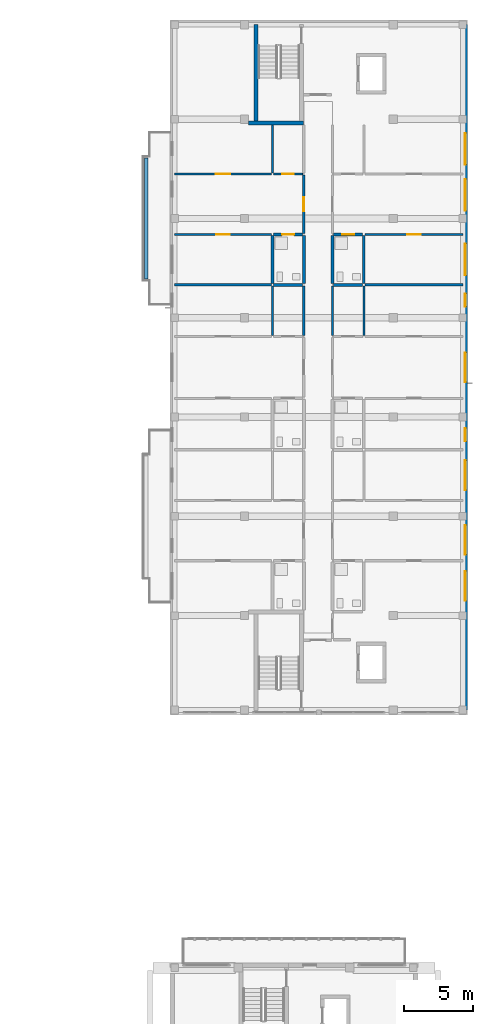
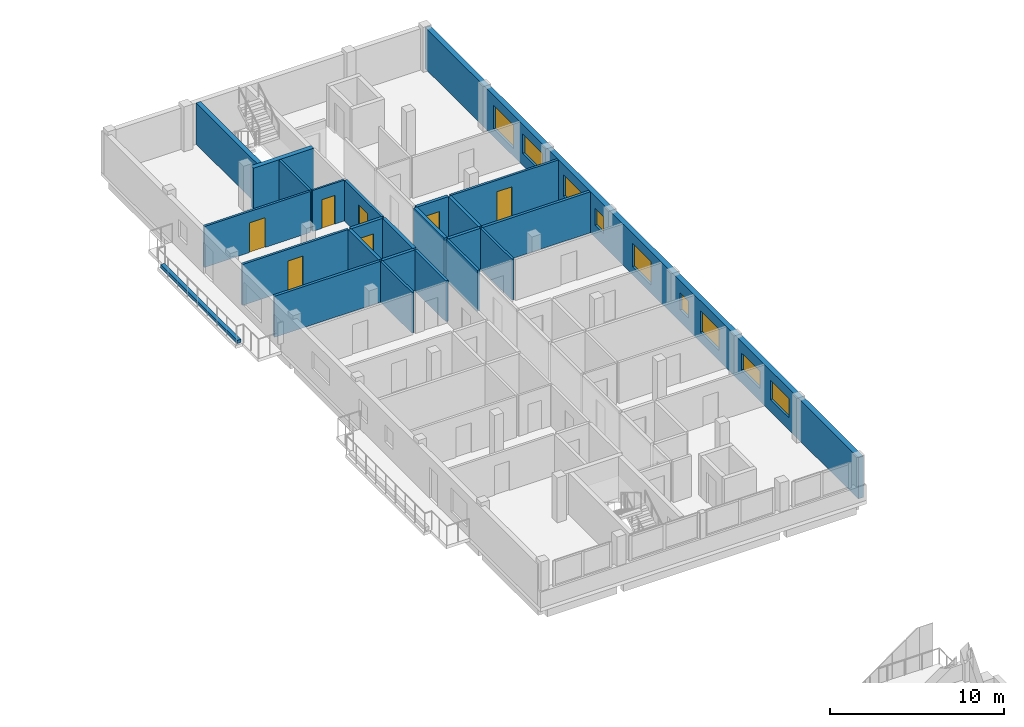
# One storey, part 25 of 41: 24 walls, 9 windows, 7 doors, 16 openings.
"""IFC4 building model written with IfcOpenShell, lengths in metres."""

from ifc_helpers import new_model, si_unit, derived_unit, direction, frame, frame_2d, origin, place, context, subcontext, project, spatial, rectangle, extrude, material, layer, layer_set, type_object, element, fill, save


model = new_model("IFC4")

# Units and contexts
model_context = context("Model", 3, precision=1e-05, world=origin(), true_north=direction((0.0, 1.0)))
body_context = subcontext(model_context, "Body", "Model", "MODEL_VIEW")
ifc_project = project(units=[si_unit("LENGTHUNIT", "METRE"), si_unit("AREAUNIT", "SQUARE_METRE"), si_unit("VOLUMEUNIT", "CUBIC_METRE"), si_unit("PLANEANGLEUNIT", "RADIAN"), si_unit("MASSUNIT", "GRAM", prefix="KILO"), derived_unit("THERMALTRANSMITTANCEUNIT", [(si_unit("MASSUNIT", "GRAM", prefix="KILO"), 1), (si_unit("TIMEUNIT", "SECOND"), -3), (si_unit("THERMODYNAMICTEMPERATUREUNIT", "KELVIN"), -1)])], contexts=[model_context])

# Site, building, storey
site_placement = place(None, origin())
site = spatial("IfcSite", under=ifc_project, at=site_placement, CompositionType="ELEMENT")
building_placement = place(site_placement, origin())
building = spatial("IfcBuilding", under=site, at=building_placement, Name="Ochrekiln Boulevard Commons", CompositionType="ELEMENT")
storey_placement = place(building_placement, frame((0.0, 0.0, 21.52490234375)))
storey = spatial("IfcBuildingStorey", under=building, at=storey_placement, Name="L06", CompositionType="ELEMENT", Elevation=21.52490234375)

# Wall, openings, windows
ifc_material_1 = material(Name="Iron-spot brown clinker brick masonry ASTM C216 Grade SW", Category="masonry")
ifc_layer_1 = layer(ifc_material_1, 0.340087890625)
ifc_layer_set_1 = layer_set([ifc_layer_1], Name="Iron-spot brown clinker brick masonry ASTM C216 Grade SW")
wall_type_1 = type_object("IfcWallType", Name="WL-EXT-IRON-340", PredefinedType="SOLIDWALL", material=ifc_layer_set_1)
wall_1_placement = place(storey_placement, frame((172.6298828125, 68.739990234375, 0.0), z_axis=(0.0, 0.0, 1.0), x_axis=(0.0, 1.0, 0.0)))
wall_1 = element("IfcWall", 1, at=wall_1_placement, inside=storey, type_object=wall_type_1, Name="Block B L06 E Exterior Wall", PredefinedType="SOLIDWALL", context=body_context, shape_type="SweptSolid", body=[
    extrude(rectangle(XDim=49.719970703125, YDim=0.340087890625, at=frame_2d((24.85986328125, 0.0))), origin(), (0.0, 0.0, 1.0), 2.89013671875),
])
opening_1_placement = place(wall_1_placement, frame((11.27587890625, 0.0, 0.89990234375)))
opening_1 = element("IfcOpeningElement", 2, at=opening_1_placement, cuts=wall_1, Name="Opening W-51", PredefinedType="OPENING", context=body_context, shape_type="SweptSolid", body=[
    extrude(rectangle(XDim=2.14990234375, YDim=1.199951171875, at=frame_2d((1.074951171875, 0.60009765625))), frame((0.0, 0.179931640625, 0.0), z_axis=(0.0, -1.0, 0.0), x_axis=(1.0, 0.0, 0.0)), (0.0, 0.0, 1.0), 0.360107421875),
])
opening_2_placement = place(wall_1_placement, frame((7.930908203125, 0.0, 0.85498046875)))
opening_2 = element("IfcOpeningElement", 3, at=opening_2_placement, cuts=wall_1, Name="Opening W-52", PredefinedType="OPENING", context=body_context, shape_type="SweptSolid", body=[
    extrude(rectangle(XDim=2.14990234375, YDim=1.35009765625, at=frame_2d((1.074951171875, 0.675048828125))), frame((0.0, 0.179931640625, 0.0), z_axis=(0.0, -1.0, 0.0), x_axis=(1.0, 0.0, 0.0)), (0.0, 0.0, 1.0), 0.360107421875),
])
opening_3_placement = place(wall_1_placement, frame((15.965087890625, 0.0, 0.705078125)))
opening_3 = element("IfcOpeningElement", 4, at=opening_3_placement, cuts=wall_1, Name="Opening W-53", PredefinedType="OPENING", context=body_context, shape_type="SweptSolid", body=[
    extrude(rectangle(XDim=2.14990234375, YDim=1.5, at=frame_2d((1.074951171875, 0.75))), frame((0.0, 0.179931640625, 0.0), z_axis=(0.0, -1.0, 0.0), x_axis=(1.0, 0.0, 0.0)), (0.0, 0.0, 1.0), 0.360107421875),
])
opening_4_placement = place(wall_1_placement, frame((23.784912109375, 0.0, 0.554931640625)))
opening_4 = element("IfcOpeningElement", 5, at=opening_4_placement, cuts=wall_1, Name="Opening W-54", PredefinedType="OPENING", context=body_context, shape_type="SweptSolid", body=[
    extrude(rectangle(XDim=2.14990234375, YDim=1.64990234375, at=frame_2d((1.074951171875, 0.824951171875))), frame((0.0, 0.179931640625, 0.0), z_axis=(0.0, -1.0, 0.0), x_axis=(1.0, 0.0, 0.0)), (0.0, 0.0, 1.0), 0.360107421875),
])
opening_5_placement = place(wall_1_placement, frame((19.5029296875, 0.0, 0.85009765625)))
opening_5 = element("IfcOpeningElement", 6, at=opening_5_placement, cuts=wall_1, Name="Opening W-01", PredefinedType="OPENING", context=body_context, shape_type="SweptSolid", body=[
    extrude(rectangle(XDim=0.949951171875, YDim=1.199951171875, at=frame_2d((0.47509765625, 0.60009765625))), frame((0.0, 0.179931640625, 0.0), z_axis=(0.0, -1.0, 0.0), x_axis=(1.0, 0.0, 0.0)), (0.0, 0.0, 1.0), 0.360107421875),
])
opening_6_placement = place(wall_1_placement, frame((29.26708984375, 0.0, 0.85009765625)))
opening_6 = element("IfcOpeningElement", 7, at=opening_6_placement, cuts=wall_1, Name="Opening W-01", PredefinedType="OPENING", context=body_context, shape_type="SweptSolid", body=[
    extrude(rectangle(XDim=0.949951171875, YDim=1.199951171875, at=frame_2d((0.47509765625, 0.60009765625))), frame((0.0, 0.179931640625, 0.0), z_axis=(0.0, -1.0, 0.0), x_axis=(1.0, 0.0, 0.0)), (0.0, 0.0, 1.0), 0.360107421875),
])
opening_7_placement = place(wall_1_placement, frame((36.218017578125, 0.0, 0.85498046875)))
opening_7 = element("IfcOpeningElement", 8, at=opening_7_placement, cuts=wall_1, Name="Opening W-57", PredefinedType="OPENING", context=body_context, shape_type="SweptSolid", body=[
    extrude(rectangle(XDim=2.300048828125, YDim=1.35009765625, at=frame_2d((1.14990234375, 0.675048828125))), frame((0.0, 0.179931640625, 0.0), z_axis=(0.0, -1.0, 0.0), x_axis=(1.0, 0.0, 0.0)), (0.0, 0.0, 1.0), 0.360107421875),
])
opening_8_placement = place(wall_1_placement, frame((31.531005859375, 0.0, 0.705078125)))
opening_8 = element("IfcOpeningElement", 9, at=opening_8_placement, cuts=wall_1, Name="Opening W-58", PredefinedType="OPENING", context=body_context, shape_type="SweptSolid", body=[
    extrude(rectangle(XDim=2.300048828125, YDim=1.5, at=frame_2d((1.14990234375, 0.75))), frame((0.0, 0.179931640625, 0.0), z_axis=(0.0, -1.0, 0.0), x_axis=(1.0, 0.0, 0.0)), (0.0, 0.0, 1.0), 0.360107421875),
])
opening_9_placement = place(wall_1_placement, frame((39.56298828125, 0.0, 0.554931640625)))
opening_9 = element("IfcOpeningElement", 10, at=opening_9_placement, cuts=wall_1, Name="Opening W-59", PredefinedType="OPENING", context=body_context, shape_type="SweptSolid", body=[
    extrude(rectangle(XDim=2.300048828125, YDim=1.64990234375, at=frame_2d((1.14990234375, 0.824951171875))), frame((0.0, 0.179931640625, 0.0), z_axis=(0.0, -1.0, 0.0), x_axis=(1.0, 0.0, 0.0)), (0.0, 0.0, 1.0), 0.360107421875),
])
ifc_material_2 = material(Name="Thermally broken aluminium-clad oak frame", Category="aluminium")
window_type_1 = type_object("IfcWindowType", Name="WIN-EXT-01", PartitioningType="SINGLE_PANEL", PredefinedType="WINDOW", material=ifc_material_2)
window_1_placement = place(opening_5_placement, origin())
window_1 = element("IfcWindow", 11, at=window_1_placement, inside=storey, type_object=window_type_1, Name="Block B L06 Punched Masonry Window W-01", OverallHeight=1.199951171875, OverallWidth=0.949951171875, PartitioningType="SINGLE_PANEL", PredefinedType="WINDOW", context=body_context, shape_type="SweptSolid", body=[
    extrude(rectangle(XDim=0.949951171875, YDim=1.199951171875, at=frame_2d((0.47509765625, 0.60009765625))), frame((0.0, 0.030029296875, 0.0), z_axis=(0.0, -1.0, 0.0), x_axis=(1.0, 0.0, 0.0)), (0.0, 0.0, 1.0), 0.06005859375),
])
fill(opening_5, window_1)
window_2_placement = place(opening_6_placement, origin())
window_2 = element("IfcWindow", 12, at=window_2_placement, inside=storey, type_object=window_type_1, Name="Block B L06 Punched Masonry Window W-01", OverallHeight=1.199951171875, OverallWidth=0.949951171875, PartitioningType="SINGLE_PANEL", PredefinedType="WINDOW", context=body_context, shape_type="SweptSolid", body=[
    extrude(rectangle(XDim=0.949951171875, YDim=1.199951171875, at=frame_2d((0.47509765625, 0.60009765625))), frame((0.0, 0.030029296875, 0.0), z_axis=(0.0, -1.0, 0.0), x_axis=(1.0, 0.0, 0.0)), (0.0, 0.0, 1.0), 0.06005859375),
])
fill(opening_6, window_2)
window_type_2 = type_object("IfcWindowType", Name="WIN-EXT-51", PartitioningType="DOUBLE_PANEL_VERTICAL", PredefinedType="WINDOW", material=ifc_material_2)
window_3_placement = place(opening_1_placement, origin())
window_3 = element("IfcWindow", 13, at=window_3_placement, inside=storey, type_object=window_type_2, Name="Block B L06 Punched Masonry Window W-51", OverallHeight=1.199951171875, OverallWidth=2.14990234375, PartitioningType="DOUBLE_PANEL_VERTICAL", PredefinedType="WINDOW", context=body_context, shape_type="SweptSolid", body=[
    extrude(rectangle(XDim=2.14990234375, YDim=1.199951171875, at=frame_2d((1.074951171875, 0.60009765625))), frame((0.0, 0.030029296875, 0.0), z_axis=(0.0, -1.0, 0.0), x_axis=(1.0, 0.0, 0.0)), (0.0, 0.0, 1.0), 0.06005859375),
])
fill(opening_1, window_3)
window_type_3 = type_object("IfcWindowType", Name="WIN-EXT-52", PartitioningType="DOUBLE_PANEL_VERTICAL", PredefinedType="WINDOW", material=ifc_material_2)
window_4_placement = place(opening_2_placement, origin())
window_4 = element("IfcWindow", 14, at=window_4_placement, inside=storey, type_object=window_type_3, Name="Block B L06 Punched Masonry Window W-52", OverallHeight=1.35009765625, OverallWidth=2.14990234375, PartitioningType="DOUBLE_PANEL_VERTICAL", PredefinedType="WINDOW", context=body_context, shape_type="SweptSolid", body=[
    extrude(rectangle(XDim=2.14990234375, YDim=1.35009765625, at=frame_2d((1.074951171875, 0.675048828125))), frame((0.0, 0.030029296875, 0.0), z_axis=(0.0, -1.0, 0.0), x_axis=(1.0, 0.0, 0.0)), (0.0, 0.0, 1.0), 0.06005859375),
])
fill(opening_2, window_4)
window_type_4 = type_object("IfcWindowType", Name="WIN-EXT-53", PartitioningType="DOUBLE_PANEL_VERTICAL", PredefinedType="WINDOW", material=ifc_material_2)
window_5_placement = place(opening_3_placement, origin())
window_5 = element("IfcWindow", 15, at=window_5_placement, inside=storey, type_object=window_type_4, Name="Block B L06 Punched Masonry Window W-53", OverallHeight=1.5, OverallWidth=2.14990234375, PartitioningType="DOUBLE_PANEL_VERTICAL", PredefinedType="WINDOW", context=body_context, shape_type="SweptSolid", body=[
    extrude(rectangle(XDim=2.14990234375, YDim=1.5, at=frame_2d((1.074951171875, 0.75))), frame((0.0, 0.030029296875, 0.0), z_axis=(0.0, -1.0, 0.0), x_axis=(1.0, 0.0, 0.0)), (0.0, 0.0, 1.0), 0.06005859375),
])
fill(opening_3, window_5)
window_type_5 = type_object("IfcWindowType", Name="WIN-EXT-54", PartitioningType="DOUBLE_PANEL_VERTICAL", PredefinedType="WINDOW", material=ifc_material_2)
window_6_placement = place(opening_4_placement, origin())
window_6 = element("IfcWindow", 16, at=window_6_placement, inside=storey, type_object=window_type_5, Name="Block B L06 Punched Masonry Window W-54", OverallHeight=1.64990234375, OverallWidth=2.14990234375, PartitioningType="DOUBLE_PANEL_VERTICAL", PredefinedType="WINDOW", context=body_context, shape_type="SweptSolid", body=[
    extrude(rectangle(XDim=2.14990234375, YDim=1.64990234375, at=frame_2d((1.074951171875, 0.824951171875))), frame((0.0, 0.030029296875, 0.0), z_axis=(0.0, -1.0, 0.0), x_axis=(1.0, 0.0, 0.0)), (0.0, 0.0, 1.0), 0.06005859375),
])
fill(opening_4, window_6)
window_type_6 = type_object("IfcWindowType", Name="WIN-EXT-57", PartitioningType="DOUBLE_PANEL_VERTICAL", PredefinedType="WINDOW", material=ifc_material_2)
window_7_placement = place(opening_7_placement, origin())
window_7 = element("IfcWindow", 17, at=window_7_placement, inside=storey, type_object=window_type_6, Name="Block B L06 Punched Masonry Window W-57", OverallHeight=1.35009765625, OverallWidth=2.300048828125, PartitioningType="DOUBLE_PANEL_VERTICAL", PredefinedType="WINDOW", context=body_context, shape_type="SweptSolid", body=[
    extrude(rectangle(XDim=2.300048828125, YDim=1.35009765625, at=frame_2d((1.14990234375, 0.675048828125))), frame((0.0, 0.030029296875, 0.0), z_axis=(0.0, -1.0, 0.0), x_axis=(1.0, 0.0, 0.0)), (0.0, 0.0, 1.0), 0.06005859375),
])
fill(opening_7, window_7)
window_type_7 = type_object("IfcWindowType", Name="WIN-EXT-58", PartitioningType="DOUBLE_PANEL_VERTICAL", PredefinedType="WINDOW", material=ifc_material_2)
window_8_placement = place(opening_8_placement, origin())
window_8 = element("IfcWindow", 18, at=window_8_placement, inside=storey, type_object=window_type_7, Name="Block B L06 Punched Masonry Window W-58", OverallHeight=1.5, OverallWidth=2.300048828125, PartitioningType="DOUBLE_PANEL_VERTICAL", PredefinedType="WINDOW", context=body_context, shape_type="SweptSolid", body=[
    extrude(rectangle(XDim=2.300048828125, YDim=1.5, at=frame_2d((1.14990234375, 0.75))), frame((0.0, 0.030029296875, 0.0), z_axis=(0.0, -1.0, 0.0), x_axis=(1.0, 0.0, 0.0)), (0.0, 0.0, 1.0), 0.06005859375),
])
fill(opening_8, window_8)
window_type_8 = type_object("IfcWindowType", Name="WIN-EXT-59", PartitioningType="DOUBLE_PANEL_VERTICAL", PredefinedType="WINDOW", material=ifc_material_2)
window_9_placement = place(opening_9_placement, origin())
window_9 = element("IfcWindow", 19, at=window_9_placement, inside=storey, type_object=window_type_8, Name="Block B L06 Punched Masonry Window W-59", OverallHeight=1.64990234375, OverallWidth=2.300048828125, PartitioningType="DOUBLE_PANEL_VERTICAL", PredefinedType="WINDOW", context=body_context, shape_type="SweptSolid", body=[
    extrude(rectangle(XDim=2.300048828125, YDim=1.64990234375, at=frame_2d((1.14990234375, 0.824951171875))), frame((0.0, 0.030029296875, 0.0), z_axis=(0.0, -1.0, 0.0), x_axis=(1.0, 0.0, 0.0)), (0.0, 0.0, 1.0), 0.06005859375),
])
fill(opening_9, window_9)

# Wall
ifc_material_3 = material(Name="Moisture-resistant cementitious tile backer wall")
ifc_layer_2 = layer(ifc_material_3, 0.199951171875)
ifc_layer_set_2 = layer_set([ifc_layer_2], Name="Moisture-resistant cementitious tile backer wall")
wall_type_2 = type_object("IfcWallType", Name="WL-PLM-200", PredefinedType="PLUMBINGWALL", material=ifc_layer_set_2)
wall_2_placement = place(storey_placement, frame((158.715087890625, 99.583984375, 0.0), z_axis=(0.0, 0.0, 1.0), x_axis=(1.0, 0.0, 0.0)))
element("IfcWall", 20, at=wall_2_placement, inside=storey, type_object=wall_type_2, Name="L06 Interior Wall W-PW200", PredefinedType="PLUMBINGWALL", context=body_context, shape_type="SweptSolid", body=[
    extrude(rectangle(XDim=2.11181640625, YDim=0.199951171875, at=frame_2d((1.055908203125, 0.0))), origin(), (0.0, 0.0, 1.0), 2.8701171875),
])

# Wall, opening, door
wall_3_placement = place(storey_placement, frame((158.719970703125, 103.2470703125, 0.0), z_axis=(0.0, 0.0, 1.0), x_axis=(1.0, 0.0, 0.0)))
wall_3 = element("IfcWall", 21, at=wall_3_placement, inside=storey, type_object=wall_type_2, Name="L06 Interior Wall W-PW200", PredefinedType="PLUMBINGWALL", context=body_context, shape_type="SweptSolid", body=[
    extrude(rectangle(XDim=2.10693359375, YDim=0.199951171875, at=frame_2d((1.053466796875, 0.0))), origin(), (0.0, 0.0, 1.0), 2.8701171875),
])
opening_10_placement = place(wall_3_placement, frame((0.6201171875, 0.0, 0.0)))
opening_10 = element("IfcOpeningElement", 22, at=opening_10_placement, cuts=wall_3, Name="Opening D-L06-828", PredefinedType="OPENING", context=body_context, shape_type="SweptSolid", body=[
    extrude(rectangle(XDim=0.860107421875, YDim=2.0, at=frame_2d((0.43017578125, 1.0))), frame((0.0, 0.10986328125, 0.0), z_axis=(0.0, -1.0, 0.0), x_axis=(1.0, 0.0, 0.0)), (0.0, 0.0, 1.0), 0.219970703125),
])
ifc_material_4 = material(Name="Solid core architectural oak door leaf")
door_type_1 = type_object("IfcDoorType", Name="DR-INT-BTH-086", OperationType="NOTDEFINED", PredefinedType="DOOR", material=ifc_material_4)
door_1_placement = place(opening_10_placement, frame((0.860107421875, 0.0, 0.0), z_axis=(0.0, 0.0, 1.0), x_axis=(-1.0, 0.0, 0.0)))
door_1 = element("IfcDoor", 23, at=door_1_placement, inside=storey, type_object=door_type_1, Name="L06 Interior Door to Apartment Bathroom", OperationType="SINGLE_SWING_RIGHT", OverallHeight=2.0, OverallWidth=0.860107421875, PredefinedType="DOOR", context=body_context, shape_type="SweptSolid", body=[
    extrude(rectangle(XDim=0.860107421875, YDim=2.0, at=frame_2d((0.43017578125, 1.0))), frame((0.0, 0.02490234375, 0.0), z_axis=(0.0, -1.0, 0.0), x_axis=(1.0, 0.0, 0.0)), (0.0, 0.0, 1.0), 0.050048828125),
])
fill(opening_10, door_1)

# Walls
wall_4_placement = place(storey_placement, frame((158.639892578125, 99.674072265625, 0.0), z_axis=(0.0, 0.0, 1.0), x_axis=(0.0, 1.0, 0.0)))
element("IfcWall", 24, at=wall_4_placement, inside=storey, type_object=wall_type_2, Name="L06 Interior Wall W-PW200", PredefinedType="PLUMBINGWALL", context=body_context, shape_type="SweptSolid", body=[
    extrude(rectangle(XDim=3.492919921875, YDim=0.199951171875, at=frame_2d((1.74658203125, 0.0))), origin(), (0.0, 0.0, 1.0), 2.8701171875),
])
wall_5_placement = place(storey_placement, frame((163.072998046875, 99.583984375, 0.0), z_axis=(0.0, 0.0, 1.0), x_axis=(1.0, 0.0, 0.0)))
element("IfcWall", 25, at=wall_5_placement, inside=storey, type_object=wall_type_2, Name="L06 Interior Wall W-PW200", PredefinedType="PLUMBINGWALL", context=body_context, shape_type="SweptSolid", body=[
    extrude(rectangle(XDim=2.10693359375, YDim=0.199951171875, at=frame_2d((1.053466796875, 0.0))), origin(), (0.0, 0.0, 1.0), 2.8701171875),
])

# Wall, opening, door
wall_6_placement = place(storey_placement, frame((163.072998046875, 103.2470703125, 0.0), z_axis=(0.0, 0.0, 1.0), x_axis=(1.0, 0.0, 0.0)))
wall_6 = element("IfcWall", 26, at=wall_6_placement, inside=storey, type_object=wall_type_2, Name="L06 Interior Wall W-PW200", PredefinedType="PLUMBINGWALL", context=body_context, shape_type="SweptSolid", body=[
    extrude(rectangle(XDim=2.10693359375, YDim=0.199951171875, at=frame_2d((1.053466796875, 0.0))), origin(), (0.0, 0.0, 1.0), 2.8701171875),
])
opening_11_placement = place(wall_6_placement, frame((0.612060546875, 0.0, 0.0)))
opening_11 = element("IfcOpeningElement", 27, at=opening_11_placement, cuts=wall_6, Name="Opening D-L06-840", PredefinedType="OPENING", context=body_context, shape_type="SweptSolid", body=[
    extrude(rectangle(XDim=0.889892578125, YDim=2.030029296875, at=frame_2d((0.44482421875, 1.01513671875))), frame((0.0, 0.10986328125, 0.0), z_axis=(0.0, -1.0, 0.0), x_axis=(1.0, 0.0, 0.0)), (0.0, 0.0, 1.0), 0.219970703125),
])
door_type_2 = type_object("IfcDoorType", Name="DR-INT-BTH-089", OperationType="NOTDEFINED", PredefinedType="DOOR", material=ifc_material_4)
door_2_placement = place(opening_11_placement, frame((0.889892578125, 0.0, 0.0), z_axis=(0.0, 0.0, 1.0), x_axis=(-1.0, 0.0, 0.0)))
door_2 = element("IfcDoor", 28, at=door_2_placement, inside=storey, type_object=door_type_2, Name="L06 Interior Door to Apartment Bathroom", OperationType="SINGLE_SWING_RIGHT", OverallHeight=2.030029296875, OverallWidth=0.889892578125, PredefinedType="DOOR", context=body_context, shape_type="SweptSolid", body=[
    extrude(rectangle(XDim=0.889892578125, YDim=2.030029296875, at=frame_2d((0.44482421875, 1.01513671875))), frame((0.0, 0.02490234375, 0.0), z_axis=(0.0, -1.0, 0.0), x_axis=(1.0, 0.0, 0.0)), (0.0, 0.0, 1.0), 0.050048828125),
])
fill(opening_11, door_2)

# Walls
wall_7_placement = place(storey_placement, frame((165.260009765625, 99.674072265625, 0.0), z_axis=(0.0, 0.0, 1.0), x_axis=(0.0, 1.0, 0.0)))
element("IfcWall", 29, at=wall_7_placement, inside=storey, type_object=wall_type_2, Name="L06 Interior Wall W-PW200", PredefinedType="PLUMBINGWALL", context=body_context, shape_type="SweptSolid", body=[
    extrude(rectangle(XDim=3.492919921875, YDim=0.199951171875, at=frame_2d((1.74658203125, 0.0))), origin(), (0.0, 0.0, 1.0), 2.8701171875),
])
ifc_layer_3 = layer(ifc_material_3, 0.219970703125)
ifc_layer_set_3 = layer_set([ifc_layer_3], Name="Moisture-resistant cementitious tile backer wall")
wall_type_3 = type_object("IfcWallType", Name="WL-PLM-220", PredefinedType="PLUMBINGWALL", material=ifc_layer_set_3)
for number, where, z_axis, x_axis, name in (
    (30, (160.909912109375, 99.674072265625, 0.0), (0.0, 0.0, 1.0), (0.0, 1.0, 0.0), "L06 Interior Wall W-PW220"),
    (31, (162.989990234375, 99.674072265625, 0.0), (0.0, 0.0, 1.0), (0.0, 1.0, 0.0), "L06 Interior Wall W-PW220"),
):
    element("IfcWall", number, at=place(storey_placement, frame(where, z_axis=z_axis, x_axis=x_axis)), inside=storey, type_object=wall_type_3, Name=name, PredefinedType="PLUMBINGWALL", context=body_context, shape_type="SweptSolid", body=[
        extrude(rectangle(XDim=3.492919921875, YDim=0.219970703125, at=frame_2d((1.74658203125, 0.0))), origin(), (0.0, 0.0, 1.0), 2.8701171875),
    ])
ifc_material_5 = material(Name="Glazed architectural terracotta ASTM C1405", Category="masonry")
ifc_layer_4 = layer(ifc_material_5, 0.25)
ifc_layer_set_4 = layer_set([ifc_layer_4], Name="Glazed architectural terracotta ASTM C1405")
wall_type_4 = type_object("IfcWallType", Name="WL-PLN-250", PredefinedType="PARAPET", material=ifc_layer_set_4)
wall_8_placement = place(storey_placement, frame((149.47998046875, 100.010009765625, 0.0), z_axis=(0.0, 0.0, 1.0), x_axis=(0.0, 1.0, 0.0)))
element("IfcWall", 32, at=wall_8_placement, inside=storey, type_object=wall_type_4, Name="Block B L06 Balcony Terracotta Planter Box 2", PredefinedType="PARAPET", context=body_context, shape_type="SweptSolid", body=[
    extrude(rectangle(XDim=8.780029296875, YDim=0.25, at=frame_2d((4.39013671875, 0.0))), origin(), (0.0, 0.0, 1.0), 0.22998046875),
])
ifc_material_6 = material(Name="Fire-rated Type X gypsum board on steel studs", Category="steel")
ifc_layer_5 = layer(ifc_material_6, 0.1650390625)
ifc_layer_set_5 = layer_set([ifc_layer_5], Name="Fire-rated Type X gypsum board on steel studs")
wall_type_5 = type_object("IfcWallType", Name="WL-PT-CORR-165", PredefinedType="PARTITIONING", material=ifc_layer_set_5)
wall_9_placement = place(storey_placement, frame((160.909912109375, 95.919921875, 0.0), z_axis=(0.0, 0.0, 1.0), x_axis=(0.0, 1.0, 0.0)))
element("IfcWall", 33, at=wall_9_placement, inside=storey, type_object=wall_type_5, Name="L06 Interior Wall W-PC165", PredefinedType="PARTITIONING", context=body_context, shape_type="SweptSolid", body=[
    extrude(rectangle(XDim=3.573974609375, YDim=0.1650390625, at=frame_2d((1.787109375, 0.0))), origin(), (0.0, 0.0, 1.0), 2.8701171875),
])

# Wall, opening, door
wall_10_placement = place(storey_placement, frame((160.909912109375, 103.326904296875, 0.0), z_axis=(0.0, 0.0, 1.0), x_axis=(0.0, 1.0, 0.0)))
wall_10 = element("IfcWall", 34, at=wall_10_placement, inside=storey, type_object=wall_type_5, Name="L06 Interior Wall W-PC165", PredefinedType="PARTITIONING", context=body_context, shape_type="SweptSolid", body=[
    extrude(rectangle(XDim=4.22021484375, YDim=0.1650390625, at=frame_2d((2.110107421875, 0.0))), origin(), (0.0, 0.0, 1.0), 2.8701171875),
])
opening_12_placement = place(wall_10_placement, frame((1.60498046875, 0.0, 0.0)))
opening_12 = element("IfcOpeningElement", 35, at=opening_12_placement, cuts=wall_10, Name="Opening D-L06-816", PredefinedType="OPENING", context=body_context, shape_type="SweptSolid", body=[
    extrude(rectangle(XDim=1.010009765625, YDim=2.110107421875, at=frame_2d((0.5048828125, 1.05517578125))), frame((0.0, 0.092529296875, 0.0), z_axis=(0.0, -1.0, 0.0), x_axis=(1.0, 0.0, 0.0)), (0.0, 0.0, 1.0), 0.18505859375),
])
door_type_3 = type_object("IfcDoorType", Name="DR-INT-APT-101", OperationType="NOTDEFINED", PredefinedType="DOOR", material=ifc_material_4)
door_3_placement = place(opening_12_placement, origin())
door_3 = element("IfcDoor", 36, at=door_3_placement, inside=storey, type_object=door_type_3, Name="L06 Interior Door to Two-Bedroom Apartment Living Room", OperationType="SINGLE_SWING_RIGHT", OverallHeight=2.110107421875, OverallWidth=1.010009765625, PredefinedType="DOOR", context=body_context, shape_type="SweptSolid", body=[
    extrude(rectangle(XDim=1.010009765625, YDim=2.110107421875, at=frame_2d((0.5048828125, 1.05517578125))), frame((0.0, 0.02490234375, 0.0), z_axis=(0.0, -1.0, 0.0), x_axis=(1.0, 0.0, 0.0)), (0.0, 0.0, 1.0), 0.050048828125),
])
fill(opening_12, door_3)

# Walls
wall_11_placement = place(storey_placement, frame((162.989990234375, 95.919921875, 0.0), z_axis=(0.0, 0.0, 1.0), x_axis=(0.0, 1.0, 0.0)))
element("IfcWall", 37, at=wall_11_placement, inside=storey, type_object=wall_type_5, Name="L06 Interior Wall W-PC165", PredefinedType="PARTITIONING", context=body_context, shape_type="SweptSolid", body=[
    extrude(rectangle(XDim=3.573974609375, YDim=0.1650390625, at=frame_2d((1.787109375, 0.0))), origin(), (0.0, 0.0, 1.0), 2.8701171875),
])
ifc_layer_6 = layer(ifc_material_6, 0.179931640625)
ifc_layer_set_6 = layer_set([ifc_layer_6], Name="Fire-rated Type X gypsum board on steel studs")
wall_type_6 = type_object("IfcWallType", Name="WL-PT-DEM-180", PredefinedType="PARTITIONING", material=ifc_layer_set_6)
wall_12_placement = place(storey_placement, frame((151.5400390625, 99.583984375, 0.0), z_axis=(0.0, 0.0, 1.0), x_axis=(1.0, 0.0, 0.0)))
element("IfcWall", 38, at=wall_12_placement, inside=storey, type_object=wall_type_6, Name="L06 Interior Wall W-PD180", PredefinedType="PARTITIONING", context=body_context, shape_type="SweptSolid", body=[
    extrude(rectangle(XDim=7.02001953125, YDim=0.179931640625, at=frame_2d((3.510009765625, 0.0))), origin(), (0.0, 0.0, 1.0), 2.8701171875),
])
wall_13_placement = place(storey_placement, frame((165.3349609375, 99.583984375, 0.0), z_axis=(0.0, 0.0, 1.0), x_axis=(1.0, 0.0, 0.0)))
element("IfcWall", 39, at=wall_13_placement, inside=storey, type_object=wall_type_6, Name="L06 Interior Wall W-PD180", PredefinedType="PARTITIONING", context=body_context, shape_type="SweptSolid", body=[
    extrude(rectangle(XDim=7.125, YDim=0.179931640625, at=frame_2d((3.5625, 0.0))), origin(), (0.0, 0.0, 1.0), 2.8701171875),
])

# Wall, opening, door
ifc_layer_7 = layer(ifc_material_6, 0.1201171875)
ifc_layer_set_7 = layer_set([ifc_layer_7], Name="Fire-rated Type X gypsum board on steel studs")
wall_type_7 = type_object("IfcWallType", Name="WL-PT-LGT-120", PredefinedType="PARTITIONING", material=ifc_layer_set_7)
wall_14_placement = place(storey_placement, frame((158.719970703125, 107.626953125, 0.0), z_axis=(0.0, 0.0, 1.0), x_axis=(1.0, 0.0, 0.0)))
wall_14 = element("IfcWall", 40, at=wall_14_placement, inside=storey, type_object=wall_type_7, Name="L06 Interior Wall W-PL120", PredefinedType="PARTITIONING", context=body_context, shape_type="SweptSolid", body=[
    extrude(rectangle(XDim=2.10693359375, YDim=0.1201171875, at=frame_2d((1.053466796875, 0.0))), origin(), (0.0, 0.0, 1.0), 2.8701171875),
])
opening_13_placement = place(wall_14_placement, frame((0.625, 0.0, 0.0)))
opening_13 = element("IfcOpeningElement", 41, at=opening_13_placement, cuts=wall_14, Name="Opening D-L06-829", PredefinedType="OPENING", context=body_context, shape_type="SweptSolid", body=[
    extrude(rectangle(XDim=0.85009765625, YDim=2.010009765625, at=frame_2d((0.425048828125, 1.0048828125))), frame((0.0, 0.070068359375, 0.0), z_axis=(0.0, -1.0, 0.0), x_axis=(1.0, 0.0, 0.0)), (0.0, 0.0, 1.0), 0.14013671875),
])
door_type_4 = type_object("IfcDoorType", Name="DR-INT-KIT-085", OperationType="NOTDEFINED", PredefinedType="DOOR", material=ifc_material_4)
door_4_placement = place(opening_13_placement, origin())
door_4 = element("IfcDoor", 42, at=door_4_placement, inside=storey, type_object=door_type_4, Name="L06 Interior Door to Apartment Kitchen", OperationType="SINGLE_SWING_LEFT", OverallHeight=2.010009765625, OverallWidth=0.85009765625, PredefinedType="DOOR", context=body_context, shape_type="SweptSolid", body=[
    extrude(rectangle(XDim=0.85009765625, YDim=2.010009765625, at=frame_2d((0.425048828125, 1.0048828125))), frame((0.0, 0.02490234375, 0.0), z_axis=(0.0, -1.0, 0.0), x_axis=(1.0, 0.0, 0.0)), (0.0, 0.0, 1.0), 0.050048828125),
])
fill(opening_13, door_4)

# Wall
ifc_layer_8 = layer(ifc_material_6, 0.14990234375)
ifc_layer_set_8 = layer_set([ifc_layer_8], Name="Fire-rated Type X gypsum board on steel studs")
wall_type_8 = type_object("IfcWallType", Name="WL-PT-STD-150", PredefinedType="PARTITIONING", material=ifc_layer_set_8)
wall_15_placement = place(storey_placement, frame((158.639892578125, 95.89990234375, 0.0), z_axis=(0.0, 0.0, 1.0), x_axis=(0.0, 1.0, 0.0)))
element("IfcWall", 43, at=wall_15_placement, inside=storey, type_object=wall_type_8, Name="L06 Interior Wall W-PS150", PredefinedType="PARTITIONING", context=body_context, shape_type="SweptSolid", body=[
    extrude(rectangle(XDim=3.593994140625, YDim=0.14990234375, at=frame_2d((1.796875, 0.0))), origin(), (0.0, 0.0, 1.0), 2.8701171875),
])

# Wall, opening, door
wall_16_placement = place(storey_placement, frame((151.5400390625, 103.2470703125, 0.0), z_axis=(0.0, 0.0, 1.0), x_axis=(1.0, 0.0, 0.0)))
wall_16 = element("IfcWall", 44, at=wall_16_placement, inside=storey, type_object=wall_type_8, Name="L06 Interior Wall W-PS150", PredefinedType="PARTITIONING", context=body_context, shape_type="SweptSolid", body=[
    extrude(rectangle(XDim=7.02001953125, YDim=0.14990234375, at=frame_2d((3.510009765625, 0.0))), origin(), (0.0, 0.0, 1.0), 2.8701171875),
])
opening_14_placement = place(wall_16_placement, frame((3.014892578125, 0.0, 0.0)))
opening_14 = element("IfcOpeningElement", 45, at=opening_14_placement, cuts=wall_16, Name="Opening D-L06-830", PredefinedType="OPENING", context=body_context, shape_type="SweptSolid", body=[
    extrude(rectangle(XDim=1.0, YDim=2.06005859375, at=frame_2d((0.5, 1.030029296875))), frame((0.0, 0.0849609375, 0.0), z_axis=(0.0, -1.0, 0.0), x_axis=(1.0, 0.0, 0.0)), (0.0, 0.0, 1.0), 0.169921875),
])
door_type_5 = type_object("IfcDoorType", Name="DR-INT-BED-100", OperationType="NOTDEFINED", PredefinedType="DOOR", material=ifc_material_4)
door_5_placement = place(opening_14_placement, frame((1.0, 0.0, 0.0), z_axis=(0.0, 0.0, 1.0), x_axis=(-1.0, 0.0, 0.0)))
door_5 = element("IfcDoor", 46, at=door_5_placement, inside=storey, type_object=door_type_5, Name="L06 Interior Door to Primary Apartment Bedroom", OperationType="SINGLE_SWING_RIGHT", OverallHeight=2.06005859375, OverallWidth=1.0, PredefinedType="DOOR", context=body_context, shape_type="SweptSolid", body=[
    extrude(rectangle(XDim=1.0, YDim=2.06005859375, at=frame_2d((0.5, 1.030029296875))), frame((0.0, 0.02490234375, 0.0), z_axis=(0.0, -1.0, 0.0), x_axis=(1.0, 0.0, 0.0)), (0.0, 0.0, 1.0), 0.050048828125),
])
fill(opening_14, door_5)

wall_17_placement = place(storey_placement, frame((151.5400390625, 107.626953125, 0.0), z_axis=(0.0, 0.0, 1.0), x_axis=(1.0, 0.0, 0.0)))
wall_17 = element("IfcWall", 47, at=wall_17_placement, inside=storey, type_object=wall_type_8, Name="L06 Interior Wall W-PS150", PredefinedType="PARTITIONING", context=body_context, shape_type="SweptSolid", body=[
    extrude(rectangle(XDim=7.02001953125, YDim=0.14990234375, at=frame_2d((3.510009765625, 0.0))), origin(), (0.0, 0.0, 1.0), 2.8701171875),
])
opening_15_placement = place(wall_17_placement, frame((2.9951171875, 0.0, 0.0)))
opening_15 = element("IfcOpeningElement", 48, at=opening_15_placement, cuts=wall_17, Name="Opening D-L06-831", PredefinedType="OPENING", context=body_context, shape_type="SweptSolid", body=[
    extrude(rectangle(XDim=1.0400390625, YDim=2.080078125, at=frame_2d((0.52001953125, 1.0400390625))), frame((0.0, 0.0849609375, 0.0), z_axis=(0.0, -1.0, 0.0), x_axis=(1.0, 0.0, 0.0)), (0.0, 0.0, 1.0), 0.169921875),
])
door_type_6 = type_object("IfcDoorType", Name="DR-INT-BED-104", OperationType="NOTDEFINED", PredefinedType="DOOR", material=ifc_material_4)
door_6_placement = place(opening_15_placement, origin())
door_6 = element("IfcDoor", 49, at=door_6_placement, inside=storey, type_object=door_type_6, Name="L06 Interior Door to Secondary Apartment Bedroom", OperationType="SINGLE_SWING_LEFT", OverallHeight=2.080078125, OverallWidth=1.0400390625, PredefinedType="DOOR", context=body_context, shape_type="SweptSolid", body=[
    extrude(rectangle(XDim=1.0400390625, YDim=2.080078125, at=frame_2d((0.52001953125, 1.0400390625))), frame((0.0, 0.02490234375, 0.0), z_axis=(0.0, -1.0, 0.0), x_axis=(1.0, 0.0, 0.0)), (0.0, 0.0, 1.0), 0.050048828125),
])
fill(opening_15, door_6)

# Walls
wall_18_placement = place(storey_placement, frame((158.639892578125, 107.68701171875, 0.0), z_axis=(0.0, 0.0, 1.0), x_axis=(0.0, 1.0, 0.0)))
element("IfcWall", 50, at=wall_18_placement, inside=storey, type_object=wall_type_8, Name="L06 Interior Wall W-PS150", PredefinedType="PARTITIONING", context=body_context, shape_type="SweptSolid", body=[
    extrude(rectangle(XDim=3.512939453125, YDim=0.14990234375, at=frame_2d((1.75634765625, 0.0))), origin(), (0.0, 0.0, 1.0), 2.8701171875),
])
wall_19_placement = place(storey_placement, frame((165.260009765625, 95.89990234375, 0.0), z_axis=(0.0, 0.0, 1.0), x_axis=(0.0, 1.0, 0.0)))
element("IfcWall", 51, at=wall_19_placement, inside=storey, type_object=wall_type_8, Name="L06 Interior Wall W-PS150", PredefinedType="PARTITIONING", context=body_context, shape_type="SweptSolid", body=[
    extrude(rectangle(XDim=3.593994140625, YDim=0.14990234375, at=frame_2d((1.796875, 0.0))), origin(), (0.0, 0.0, 1.0), 2.8701171875),
])

# Wall, opening, door
wall_20_placement = place(storey_placement, frame((165.340087890625, 103.2470703125, 0.0), z_axis=(0.0, 0.0, 1.0), x_axis=(1.0, 0.0, 0.0)))
wall_20 = element("IfcWall", 52, at=wall_20_placement, inside=storey, type_object=wall_type_8, Name="L06 Interior Wall W-PS150", PredefinedType="PARTITIONING", context=body_context, shape_type="SweptSolid", body=[
    extrude(rectangle(XDim=7.119873046875, YDim=0.14990234375, at=frame_2d((3.56005859375, 0.0))), origin(), (0.0, 0.0, 1.0), 2.8701171875),
])
opening_16_placement = place(wall_20_placement, frame((3.054931640625, 0.0, 0.0)))
opening_16 = element("IfcOpeningElement", 53, at=opening_16_placement, cuts=wall_20, Name="Opening D-L06-842", PredefinedType="OPENING", context=body_context, shape_type="SweptSolid", body=[
    extrude(rectangle(XDim=1.0, YDim=2.06005859375, at=frame_2d((0.5, 1.030029296875))), frame((0.0, 0.0849609375, 0.0), z_axis=(0.0, -1.0, 0.0), x_axis=(1.0, 0.0, 0.0)), (0.0, 0.0, 1.0), 0.169921875),
])
door_7_placement = place(opening_16_placement, frame((1.0, 0.0, 0.0), z_axis=(0.0, 0.0, 1.0), x_axis=(-1.0, 0.0, 0.0)))
door_7 = element("IfcDoor", 54, at=door_7_placement, inside=storey, type_object=door_type_5, Name="L06 Interior Door to Primary Apartment Bedroom", OperationType="SINGLE_SWING_RIGHT", OverallHeight=2.06005859375, OverallWidth=1.0, PredefinedType="DOOR", context=body_context, shape_type="SweptSolid", body=[
    extrude(rectangle(XDim=1.0, YDim=2.06005859375, at=frame_2d((0.5, 1.030029296875))), frame((0.0, 0.02490234375, 0.0), z_axis=(0.0, -1.0, 0.0), x_axis=(1.0, 0.0, 0.0)), (0.0, 0.0, 1.0), 0.050048828125),
])
fill(opening_16, door_7)

# Walls
ifc_material_7 = material(Name="Concrete C40/50", Category="concrete")
ifc_layer_9 = layer(ifc_material_7, 0.300048828125)
ifc_layer_set_9 = layer_set([ifc_layer_9], Name="Concrete C40/50")
wall_type_9 = type_object("IfcWallType", Name="WL-SH-300", PredefinedType="SHEAR", material=ifc_layer_set_9)
wall_21_placement = place(storey_placement, frame((156.89990234375, 111.330078125, 0.0), z_axis=(0.0, 0.0, 1.0), x_axis=(1.0, 0.0, 0.0)))
element("IfcWall", 55, at=wall_21_placement, inside=storey, type_object=wall_type_9, Name="Stair ST-B2 L06 Core Shear Wall S", PredefinedType="SHEAR", context=body_context, shape_type="SweptSolid", body=[
    extrude(rectangle(XDim=4.0, YDim=0.300048828125, at=frame_2d((2.0, 0.0))), origin(), (0.0, 0.0, 1.0), 2.89013671875),
])
wall_22_placement = place(storey_placement, frame((157.449951171875, 111.47998046875, 0.0), z_axis=(0.0, 0.0, 1.0), x_axis=(0.0, 1.0, 0.0)))
element("IfcWall", 56, at=wall_22_placement, inside=storey, type_object=wall_type_9, Name="Stair ST-B2 L06 Core Shear Wall W", PredefinedType="SHEAR", context=body_context, shape_type="SweptSolid", body=[
    extrude(rectangle(XDim=7.0, YDim=0.300048828125, at=frame_2d((3.5, 0.0))), origin(), (0.0, 0.0, 1.0), 2.89013671875),
])

save(model, "model.ifc")
